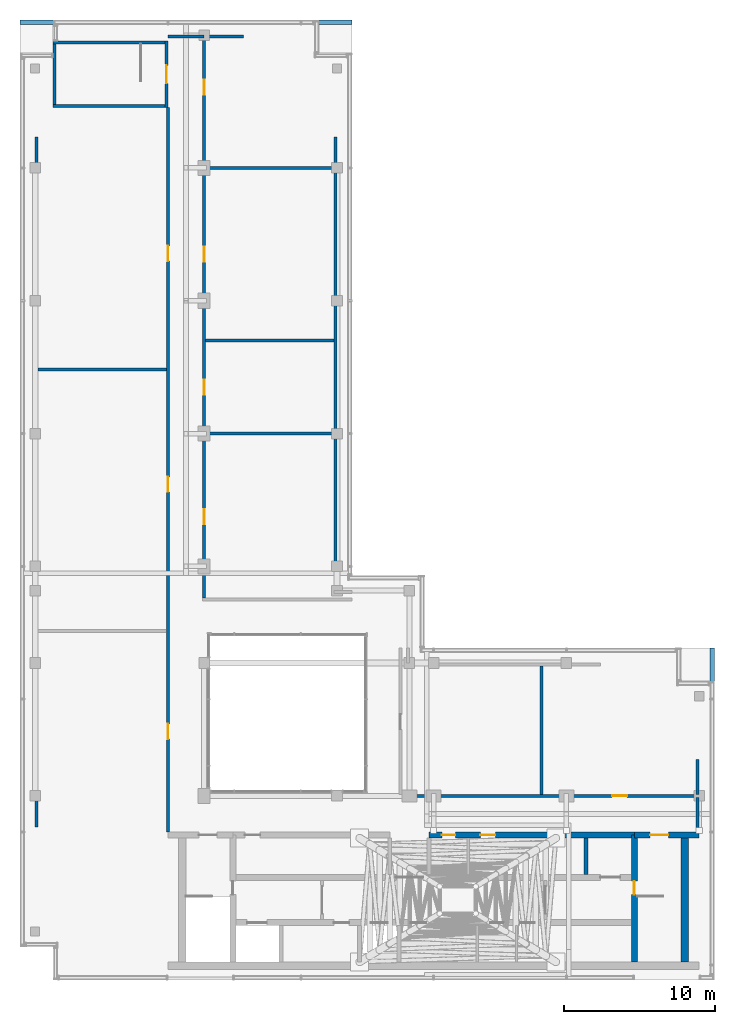
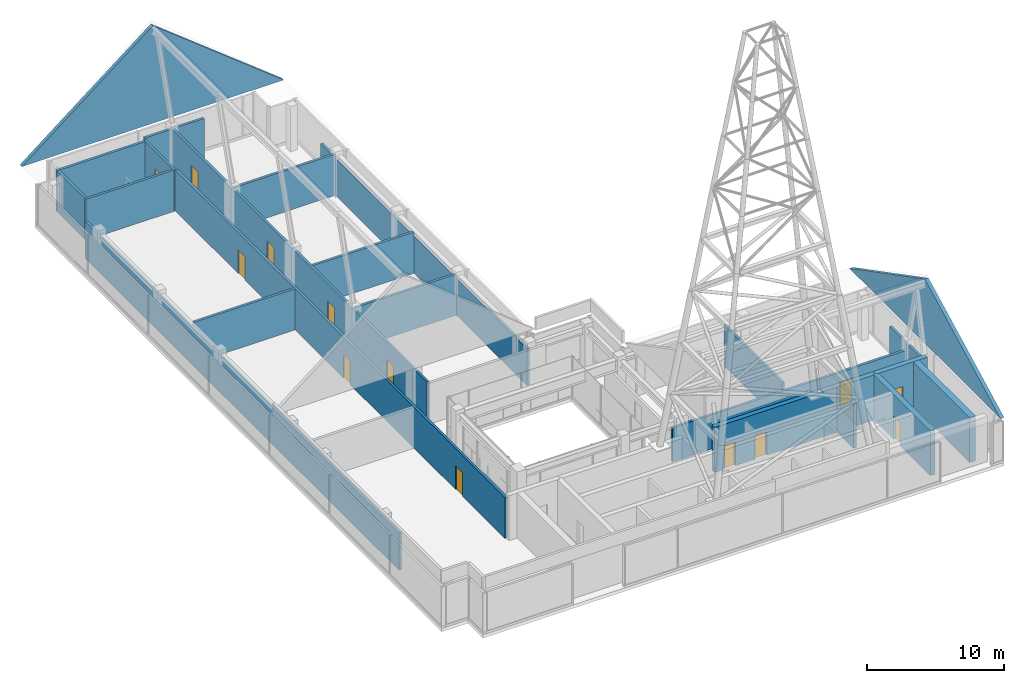
# One storey, part 12 of 13: 25 walls, 13 doors, 13 openings.
"""IFC4 building model written with IfcOpenShell, lengths in metres."""

from ifc_helpers import new_model, si_unit, direction, frame, frame_2d, origin, place, context, subcontext, project, spatial, polyline, rectangle, outline, extrude, material, layer, layer_set, type_object, element, fill, save


model = new_model("IFC4")

# Units and contexts
model_context = context("Model", 3, precision=1e-05, world=origin(), true_north=direction((0.0, 1.0)))
body_context = subcontext(model_context, "Body", "Model", "MODEL_VIEW")
ifc_project = project(units=[si_unit("LENGTHUNIT", "METRE"), si_unit("AREAUNIT", "SQUARE_METRE"), si_unit("VOLUMEUNIT", "CUBIC_METRE"), si_unit("PLANEANGLEUNIT", "RADIAN"), si_unit("MASSUNIT", "GRAM", prefix="KILO")], contexts=[model_context])

# Site, building, storey
site_placement = place(None, origin())
site = spatial("IfcSite", under=ifc_project, at=site_placement, CompositionType="ELEMENT")
building_placement = place(site_placement, origin())
building = spatial("IfcBuilding", under=site, at=building_placement, Name="Kemantara Hotel Tower", CompositionType="ELEMENT")
storey_placement = place(building_placement, frame((0.0, 0.0, 330.199951171875)))
storey = spatial("IfcBuildingStorey", under=building, at=storey_placement, Name="L83", CompositionType="ELEMENT", Elevation=330.199951171875)

# Wall
ifc_material_1 = material(Name="Concrete fc 50 MPa", Category="concrete")
ifc_layer_1 = layer(ifc_material_1, 0.25)
ifc_layer_set_1 = layer_set([ifc_layer_1], Name="Concrete fc 50 MPa")
wall_type_1 = type_object("IfcWallType", Name="CORE WALL 250 FC50", PredefinedType="SHEAR", material=ifc_layer_set_1)
wall_1_placement = place(storey_placement, frame((37.5, 7.0, 0.0), z_axis=(0.0, 0.0, 1.0), x_axis=(0.0, 1.0, 0.0)))
element("IfcWall", 1, at=wall_1_placement, inside=storey, type_object=wall_type_1, Name="CORE WALL CW-DN37.5", PredefinedType="SHEAR", context=body_context, shape_type="SweptSolid", body=[
    extrude(rectangle(XDim=2.39990234375, YDim=0.25, at=frame_2d((1.199951171875, 0.0))), origin(), (0.0, 0.0, 1.0), 4.0),
])

# Wall, opening, door
ifc_layer_2 = layer(ifc_material_1, 0.39990234375)
ifc_layer_set_2 = layer_set([ifc_layer_2], Name="Concrete fc 50 MPa")
wall_type_2 = type_object("IfcWallType", Name="CORE WALL 400 FC50", PredefinedType="SHEAR", material=ifc_layer_set_2)
wall_2_placement = place(storey_placement, frame((40.699951171875, 9.60009765625, 0.0), z_axis=(0.0, 0.0, 1.0), x_axis=(1.0, 0.0, 0.0)))
wall_2 = element("IfcWall", 2, at=wall_2_placement, inside=storey, type_object=wall_type_2, Name="CORE WALL CW-N2", PredefinedType="SHEAR", context=body_context, shape_type="SweptSolid", body=[
    extrude(rectangle(XDim=4.300048828125, YDim=0.39990234375, at=frame_2d((2.14990234375, 0.0))), origin(), (0.0, 0.0, 1.0), 4.0),
])
opening_1_placement = place(wall_2_placement, frame((1.050048828125, 0.0, 0.0)))
opening_1 = element("IfcOpeningElement", 3, at=opening_1_placement, cuts=wall_2, Name="Opening C47-ST2-C", PredefinedType="OPENING", context=body_context, shape_type="SweptSolid", body=[
    extrude(rectangle(XDim=1.199951171875, YDim=2.10009765625, at=frame_2d((0.60009765625, 1.050048828125))), frame((0.0, 0.2099609375, 0.0), z_axis=(0.0, -1.0, 0.0), x_axis=(1.0, 0.0, 0.0)), (0.0, 0.0, 1.0), 0.419921875),
])
ifc_material_2 = material(Name="Steel fire door", Category="steel")
door_type_1 = type_object("IfcDoorType", Name="Fire door FD90 1200 x 2100", OperationType="NOTDEFINED", PredefinedType="DOOR", material=ifc_material_2)
door_1_placement = place(opening_1_placement, frame((1.199951171875, 0.0, 0.0), z_axis=(0.0, 0.0, 1.0), x_axis=(-1.0, 0.0, 0.0)))
door_1 = element("IfcDoor", 4, at=door_1_placement, inside=storey, type_object=door_type_1, Name="Stair ST2 door to corridor", OperationType="SINGLE_SWING_RIGHT", OverallHeight=2.10009765625, OverallWidth=1.199951171875, PredefinedType="DOOR", context=body_context, shape_type="SweptSolid", body=[
    extrude(rectangle(XDim=1.199951171875, YDim=2.10009765625, at=frame_2d((0.60009765625, 1.050048828125))), frame((0.0, 0.02490234375, 0.0), z_axis=(0.0, -1.0, 0.0), x_axis=(1.0, 0.0, 0.0)), (0.0, 0.0, 1.0), 0.050048828125),
])
fill(opening_1, door_1)

# Wall, openings, doors
wall_3_placement = place(storey_placement, frame((27.10009765625, 9.60009765625, 0.0), z_axis=(0.0, 0.0, 1.0), x_axis=(1.0, 0.0, 0.0)))
wall_3 = element("IfcWall", 5, at=wall_3_placement, inside=storey, type_object=wall_type_2, Name="CORE WALL CW-NN2", PredefinedType="SHEAR", context=body_context, shape_type="SweptSolid", body=[
    extrude(rectangle(XDim=13.599853515625, YDim=0.39990234375, at=frame_2d((6.7998046875, 0.0))), origin(), (0.0, 0.0, 1.0), 4.0),
])
opening_2_placement = place(wall_3_placement, frame((0.85009765625, 0.0, 0.0)))
opening_2 = element("IfcOpeningElement", 6, at=opening_2_placement, cuts=wall_3, Name="Opening C47-R-NE1", PredefinedType="OPENING", context=body_context, shape_type="SweptSolid", body=[
    extrude(rectangle(XDim=0.89990234375, YDim=2.10009765625, at=frame_2d((0.449951171875, 1.050048828125))), frame((0.0, 0.2099609375, 0.0), z_axis=(0.0, -1.0, 0.0), x_axis=(1.0, 0.0, 0.0)), (0.0, 0.0, 1.0), 0.419921875),
])
opening_3_placement = place(wall_3_placement, frame((3.39990234375, 0.0, 0.0)))
opening_3 = element("IfcOpeningElement", 7, at=opening_3_placement, cuts=wall_3, Name="Opening C47-R-NE2", PredefinedType="OPENING", context=body_context, shape_type="SweptSolid", body=[
    extrude(rectangle(XDim=1.0, YDim=2.10009765625, at=frame_2d((0.5, 1.050048828125))), frame((0.0, 0.2099609375, 0.0), z_axis=(0.0, -1.0, 0.0), x_axis=(1.0, 0.0, 0.0)), (0.0, 0.0, 1.0), 0.419921875),
])
door_type_2 = type_object("IfcDoorType", Name="Fire door FD60 1000 x 2100", OperationType="NOTDEFINED", PredefinedType="DOOR", material=ifc_material_2)
door_2_placement = place(opening_3_placement, frame((1.0, 0.0, 0.0), z_axis=(0.0, 0.0, 1.0), x_axis=(-1.0, 0.0, 0.0)))
door_2 = element("IfcDoor", 8, at=door_2_placement, inside=storey, type_object=door_type_2, Name="Switch Room door", OperationType="SINGLE_SWING_RIGHT", OverallHeight=2.10009765625, OverallWidth=1.0, PredefinedType="DOOR", context=body_context, shape_type="SweptSolid", body=[
    extrude(rectangle(XDim=1.0, YDim=2.10009765625, at=frame_2d((0.5, 1.050048828125))), frame((0.0, 0.02490234375, 0.0), z_axis=(0.0, -1.0, 0.0), x_axis=(1.0, 0.0, 0.0)), (0.0, 0.0, 1.0), 0.050048828125),
])
fill(opening_3, door_2)
door_type_3 = type_object("IfcDoorType", Name="Fire door FD60 900 x 2100", OperationType="NOTDEFINED", PredefinedType="DOOR", material=ifc_material_2)
door_3_placement = place(opening_2_placement, frame((0.89990234375, 0.0, 0.0), z_axis=(0.0, 0.0, 1.0), x_axis=(-1.0, 0.0, 0.0)))
door_3 = element("IfcDoor", 9, at=door_3_placement, inside=storey, type_object=door_type_3, Name="Smoke Control Plant Room door", OperationType="SINGLE_SWING_RIGHT", OverallHeight=2.10009765625, OverallWidth=0.89990234375, PredefinedType="DOOR", context=body_context, shape_type="SweptSolid", body=[
    extrude(rectangle(XDim=0.89990234375, YDim=2.10009765625, at=frame_2d((0.449951171875, 1.050048828125))), frame((0.0, 0.02490234375, 0.0), z_axis=(0.0, -1.0, 0.0), x_axis=(1.0, 0.0, 0.0)), (0.0, 0.0, 1.0), 0.050048828125),
])
fill(opening_2, door_3)

# Wall, opening, door
wall_4_placement = place(storey_placement, frame((40.699951171875, 1.199951171875, 0.0), z_axis=(0.0, 0.0, 1.0), x_axis=(0.0, 1.0, 0.0)))
wall_4 = element("IfcWall", 10, at=wall_4_placement, inside=storey, type_object=wall_type_2, Name="CORE WALL CW-ST2W", PredefinedType="SHEAR", context=body_context, shape_type="SweptSolid", body=[
    extrude(rectangle(XDim=8.400146484375, YDim=0.39990234375, at=frame_2d((4.2001953125, 0.0))), origin(), (0.0, 0.0, 1.0), 4.0),
])
opening_4_placement = place(wall_4_placement, frame((4.449951171875, 0.0, 0.0)))
opening_4 = element("IfcOpeningElement", 11, at=opening_4_placement, cuts=wall_4, Name="Opening C47-ST2-F", PredefinedType="OPENING", context=body_context, shape_type="SweptSolid", body=[
    extrude(rectangle(XDim=0.89990234375, YDim=2.10009765625, at=frame_2d((0.449951171875, 1.050048828125))), frame((0.0, 0.2099609375, 0.0), z_axis=(0.0, -1.0, 0.0), x_axis=(1.0, 0.0, 0.0)), (0.0, 0.0, 1.0), 0.419921875),
])
door_type_4 = type_object("IfcDoorType", Name="Fire door FD90 900 x 2100", OperationType="NOTDEFINED", PredefinedType="DOOR", material=ifc_material_2)
door_4_placement = place(opening_4_placement, frame((0.89990234375, 0.0, 0.0), z_axis=(0.0, 0.0, 1.0), x_axis=(-1.0, 0.0, 0.0)))
door_4 = element("IfcDoor", 12, at=door_4_placement, inside=storey, type_object=door_type_4, Name="Stair ST2 door to firefighting lobby", OperationType="SINGLE_SWING_LEFT", OverallHeight=2.10009765625, OverallWidth=0.89990234375, PredefinedType="DOOR", context=body_context, shape_type="SweptSolid", body=[
    extrude(rectangle(XDim=0.89990234375, YDim=2.10009765625, at=frame_2d((0.449951171875, 1.050048828125))), frame((0.0, 0.02490234375, 0.0), z_axis=(0.0, -1.0, 0.0), x_axis=(1.0, 0.0, 0.0)), (0.0, 0.0, 1.0), 0.050048828125),
])
fill(opening_4, door_4)

# Walls
ifc_layer_3 = layer(ifc_material_1, 0.5)
ifc_layer_set_3 = layer_set([ifc_layer_3], Name="Concrete fc 50 MPa")
wall_type_3 = type_object("IfcWallType", Name="CORE WALL 500 FC50", PredefinedType="SHEAR", material=ifc_layer_set_3)
wall_5_placement = place(storey_placement, frame((44.050048828125, 1.199951171875, 0.0), z_axis=(0.0, 0.0, 1.0), x_axis=(0.0, 1.0, 0.0)))
element("IfcWall", 13, at=wall_5_placement, inside=storey, type_object=wall_type_3, Name="CORE WALL CW-E", PredefinedType="SHEAR", context=body_context, shape_type="SweptSolid", body=[
    extrude(rectangle(XDim=8.60009765625, YDim=0.5, at=frame_2d((4.300048828125, 0.0))), origin(), (0.0, 0.0, 1.0), 4.0),
])
ifc_material_3 = material(Name="Bronze anodised aluminium louvre blades on steel frame (S355)", Category="steel")
ifc_layer_4 = layer(ifc_material_3, 0.300048828125)
ifc_layer_set_4 = layer_set([ifc_layer_4], Name="Bronze anodised aluminium louvre blades on steel frame (S355)")
wall_type_4 = type_object("IfcWallType", Name="CROWN GABLE LOUVRE WALL 300", PredefinedType="STANDARD", material=ifc_layer_set_4)
wall_6_placement = place(storey_placement, frame((45.85009765625, 0.0, 4.0), z_axis=(0.0, 0.0, 1.0), x_axis=(0.0, 1.0, 0.0)))
element("IfcWall", 14, at=wall_6_placement, inside=storey, type_object=wall_type_4, Name="PEAK A GABLE LOUVRE WALL 2", PredefinedType="STANDARD", context=body_context, shape_type="SweptSolid", body=[
    extrude(outline(polyline([(0.0, 0.0), (22.0, 0.0), (22.0, 0.0), (11.0, 5.71533203125), (0.0, 0.0), (0.0, 0.0)])), frame((0.0, 0.14990234375, 0.0), z_axis=(0.0, -1.0, 0.0), x_axis=(1.0, 0.0, 0.0)), (0.0, 0.0, 1.0), 0.300048828125),
])
wall_7_placement = place(storey_placement, frame((0.0, 63.449951171875, 4.0), z_axis=(0.0, 0.0, 1.0), x_axis=(1.0, 0.0, 0.0)))
element("IfcWall", 15, at=wall_7_placement, inside=storey, type_object=wall_type_4, Name="PEAK B GABLE LOUVRE WALL 2", PredefinedType="STANDARD", context=body_context, shape_type="SweptSolid", body=[
    extrude(outline(polyline([(0.0, 0.0), (22.0, 0.0), (22.0, 0.0), (11.0, 8.677001953125), (0.0, 0.0), (0.0, 0.0)])), frame((0.0, 0.14990234375, 0.0), z_axis=(0.0, -1.0, 0.0), x_axis=(1.0, 0.0, 0.0)), (0.0, 0.0, 1.0), 0.300048828125),
])

# Wall, opening, door
ifc_material_4 = material(Name="Concrete fc 40 MPa", Category="concrete")
ifc_layer_5 = layer(ifc_material_4, 0.199951171875)
ifc_layer_set_5 = layer_set([ifc_layer_5], Name="Concrete fc 40 MPa")
wall_type_5 = type_object("IfcWallType", Name="Concrete stair wall 200 mm", PredefinedType="SHEAR", material=ifc_layer_set_5)
wall_8_placement = place(storey_placement, frame((9.699951171875, 57.800048828125, 0.0), z_axis=(0.0, 0.0, 1.0), x_axis=(0.0, 1.0, 0.0)))
wall_8 = element("IfcWall", 16, at=wall_8_placement, inside=storey, type_object=wall_type_5, Name="Stair ST4 enclosure wall with door", PredefinedType="SHEAR", context=body_context, shape_type="SweptSolid", body=[
    extrude(rectangle(XDim=4.39990234375, YDim=0.199951171875, at=frame_2d((2.199951171875, 0.0))), origin(), (0.0, 0.0, 1.0), 3.650146484375),
])
opening_5_placement = place(wall_8_placement, frame((1.60009765625, 0.0, 0.0)))
opening_5 = element("IfcOpeningElement", 17, at=opening_5_placement, cuts=wall_8, Name="Opening ST4-C", PredefinedType="OPENING", context=body_context, shape_type="SweptSolid", body=[
    extrude(rectangle(XDim=1.199951171875, YDim=2.10009765625, at=frame_2d((0.60009765625, 1.050048828125))), frame((0.0, 0.10986328125, 0.0), z_axis=(0.0, -1.0, 0.0), x_axis=(1.0, 0.0, 0.0)), (0.0, 0.0, 1.0), 0.219970703125),
])
door_5_placement = place(opening_5_placement, origin())
door_5 = element("IfcDoor", 18, at=door_5_placement, inside=storey, type_object=door_type_1, Name="Stair ST4 door", OperationType="SINGLE_SWING_RIGHT", OverallHeight=2.10009765625, OverallWidth=1.199951171875, PredefinedType="DOOR", context=body_context, shape_type="SweptSolid", body=[
    extrude(rectangle(XDim=1.199951171875, YDim=2.10009765625, at=frame_2d((0.60009765625, 1.050048828125))), frame((0.0, 0.02490234375, 0.0), z_axis=(0.0, -1.0, 0.0), x_axis=(1.0, 0.0, 0.0)), (0.0, 0.0, 1.0), 0.050048828125),
])
fill(opening_5, door_5)

# Walls
for number, where, z_axis, x_axis, name in (
    (19, (2.199951171875, 62.10009765625, 0.0), (0.0, 0.0, 1.0), (1.0, 0.0, 0.0), "Stair ST4 enclosure wall N"),
    (20, (2.199951171875, 57.89990234375, 0.0), (0.0, 0.0, 1.0), (1.0, 0.0, 0.0), "Stair ST4 enclosure wall S"),
):
    element("IfcWall", number, at=place(storey_placement, frame(where, z_axis=z_axis, x_axis=x_axis)), inside=storey, type_object=wall_type_5, Name=name, PredefinedType="SHEAR", context=body_context, shape_type="SweptSolid", body=[
        extrude(rectangle(XDim=7.400146484375, YDim=0.199951171875, at=frame_2d((3.7001953125, 0.0))), origin(), (0.0, 0.0, 1.0), 3.650146484375),
    ])
wall_9_placement = place(storey_placement, frame((2.300048828125, 58.0, 0.0), z_axis=(0.0, 0.0, 1.0), x_axis=(0.0, 1.0, 0.0)))
element("IfcWall", 21, at=wall_9_placement, inside=storey, type_object=wall_type_5, Name="Stair ST4 enclosure wall W", PredefinedType="SHEAR", context=body_context, shape_type="SweptSolid", body=[
    extrude(rectangle(XDim=4.0, YDim=0.199951171875, at=frame_2d((2.0, 0.0))), origin(), (0.0, 0.0, 1.0), 3.650146484375),
])
ifc_material_5 = material(Name="Clay brick masonry", Category="masonry")
ifc_layer_6 = layer(ifc_material_5, 0.199951171875)
ifc_layer_set_6 = layer_set([ifc_layer_6], Name="Clay brick masonry")
wall_type_6 = type_object("IfcWallType", Name="FIRE-RATED CLAY BRICK WALL 200 EI 120", PredefinedType="PARTITIONING", material=ifc_layer_set_6)
for number, where, z_axis, x_axis, name in (
    (22, (12.300048828125, 36.199951171875, 0.0), (0.0, 0.0, 1.0), (1.0, 0.0, 0.0), "FIRE WALL"),
    (23, (12.300048828125, 42.360107421875, 0.0), (0.0, 0.0, 1.0), (1.0, 0.0, 0.0), "FIRE WALL"),
    (24, (12.300048828125, 53.800048828125, 0.0), (0.0, 0.0, 1.0), (1.0, 0.0, 0.0), "FIRE WALL"),
    (25, (1.199951171875, 40.4599609375, 0.0), (0.0, 0.0, 1.0), (1.0, 0.0, 0.0), "FIRE WALL"),
):
    element("IfcWall", number, at=place(storey_placement, frame(where, z_axis=z_axis, x_axis=x_axis)), inside=storey, type_object=wall_type_6, Name=name, PredefinedType="PARTITIONING", context=body_context, shape_type="SweptSolid", body=[
        extrude(rectangle(XDim=8.5, YDim=0.199951171875, at=frame_2d((4.25, 0.0))), origin(), (0.0, 0.0, 1.0), 3.650146484375),
    ])
wall_10_placement = place(storey_placement, frame((12.199951171875, 62.5, 0.0), z_axis=(0.0, 0.0, 1.0), x_axis=(1.0, 0.0, 0.0)))
element("IfcWall", 26, at=wall_10_placement, inside=storey, type_object=wall_type_6, Name="FIRE WALL", PredefinedType="PARTITIONING", context=body_context, shape_type="SweptSolid", body=[
    extrude(rectangle(XDim=2.60009765625, YDim=0.199951171875, at=frame_2d((1.300048828125, 0.0))), origin(), (0.0, 0.0, 1.0), 3.650146484375),
])
wall_11_placement = place(storey_placement, frame((34.56005859375, 12.300048828125, 0.0), z_axis=(0.0, 0.0, 1.0), x_axis=(0.0, 1.0, 0.0)))
element("IfcWall", 27, at=wall_11_placement, inside=storey, type_object=wall_type_6, Name="FIRE WALL", PredefinedType="PARTITIONING", context=body_context, shape_type="SweptSolid", body=[
    extrude(rectangle(XDim=8.5, YDim=0.199951171875, at=frame_2d((4.25, 0.0))), origin(), (0.0, 0.0, 1.0), 3.650146484375),
])
wall_12_placement = place(storey_placement, frame((44.89990234375, 12.300048828125, 0.0), z_axis=(0.0, 0.0, 1.0), x_axis=(0.0, 1.0, 0.0)))
element("IfcWall", 28, at=wall_12_placement, inside=storey, type_object=wall_type_6, Name="FIRE WALL", PredefinedType="PARTITIONING", context=body_context, shape_type="SweptSolid", body=[
    extrude(rectangle(XDim=2.300048828125, YDim=0.199951171875, at=frame_2d((1.14990234375, 0.0))), origin(), (0.0, 0.0, 1.0), 3.650146484375),
])
wall_13_placement = place(storey_placement, frame((20.89990234375, 25.800048828125, 0.0), z_axis=(0.0, 0.0, 1.0), x_axis=(0.0, 1.0, 0.0)))
element("IfcWall", 29, at=wall_13_placement, inside=storey, type_object=wall_type_6, Name="FIRE WALL", PredefinedType="PARTITIONING", context=body_context, shape_type="SweptSolid", body=[
    extrude(rectangle(XDim=30.050048828125, YDim=0.199951171875, at=frame_2d((15.02490234375, 0.0))), origin(), (0.0, 0.0, 1.0), 3.2939453125),
])
wall_14_placement = place(storey_placement, frame((1.10009765625, 10.14990234375, 0.0), z_axis=(0.0, 0.0, 1.0), x_axis=(0.0, 1.0, 0.0)))
element("IfcWall", 30, at=wall_14_placement, inside=storey, type_object=wall_type_6, Name="FIRE WALL", PredefinedType="PARTITIONING", context=body_context, shape_type="SweptSolid", body=[
    extrude(rectangle(XDim=45.7001953125, YDim=0.199951171875, at=frame_2d((22.85009765625, 0.0))), origin(), (0.0, 0.0, 1.0), 3.2939453125),
])

# Wall, opening, door
ifc_material_6 = material(Name="Fire-rated gypsum board partition")
ifc_layer_7 = layer(ifc_material_6, 0.199951171875)
ifc_layer_set_7 = layer_set([ifc_layer_7], Name="Fire-rated gypsum board partition")
wall_type_7 = type_object("IfcWallType", Name="FIRE-RATED GYPSUM PARTITION 200 EI 60", PredefinedType="PARTITIONING", material=ifc_layer_set_7)
wall_15_placement = place(storey_placement, frame((25.10009765625, 12.199951171875, 0.0), z_axis=(0.0, 0.0, 1.0), x_axis=(1.0, 0.0, 0.0)))
wall_15 = element("IfcWall", 31, at=wall_15_placement, inside=storey, type_object=wall_type_7, Name="FIRE-RATED PARTITION", PredefinedType="PARTITIONING", context=body_context, shape_type="SweptSolid", body=[
    extrude(rectangle(XDim=19.89990234375, YDim=0.199951171875, at=frame_2d((9.949951171875, 0.0))), origin(), (0.0, 0.0, 1.0), 3.0380859375),
])
opening_6_placement = place(wall_15_placement, frame((14.1298828125, 0.0, 0.0)))
opening_6 = element("IfcOpeningElement", 32, at=opening_6_placement, cuts=wall_15, Name="Opening L83-B002", PredefinedType="OPENING", context=body_context, shape_type="SweptSolid", body=[
    extrude(rectangle(XDim=1.0, YDim=2.10009765625, at=frame_2d((0.5, 1.050048828125))), frame((0.0, 0.10986328125, 0.0), z_axis=(0.0, -1.0, 0.0), x_axis=(1.0, 0.0, 0.0)), (0.0, 0.0, 1.0), 0.219970703125),
])
ifc_material_7 = material(Name="Galvanised steel door leaf", Category="steel")
door_type_5 = type_object("IfcDoorType", Name="FIRE-RATED STEEL DOOR 1000 X 2100", OperationType="SINGLE_SWING_LEFT", PredefinedType="DOOR", material=ifc_material_7)
door_6_placement = place(opening_6_placement, frame((1.0, 0.0, 0.0), z_axis=(0.0, 0.0, 1.0), x_axis=(-1.0, 0.0, 0.0)))
door_6 = element("IfcDoor", 33, at=door_6_placement, inside=storey, type_object=door_type_5, Name="FIRE-RATED STEEL DOOR", OperationType="SINGLE_SWING_LEFT", OverallHeight=2.10009765625, OverallWidth=1.0, PredefinedType="DOOR", context=body_context, shape_type="SweptSolid", body=[
    extrude(rectangle(XDim=1.0, YDim=2.10009765625, at=frame_2d((0.5, 1.050048828125))), frame((0.0, 0.02490234375, 0.0), z_axis=(0.0, -1.0, 0.0), x_axis=(1.0, 0.0, 0.0)), (0.0, 0.0, 1.0), 0.050048828125),
])
fill(opening_6, door_6)

# Wall
wall_16_placement = place(storey_placement, frame((9.800048828125, 62.5, 0.0), z_axis=(0.0, 0.0, 1.0), x_axis=(1.0, 0.0, 0.0)))
element("IfcWall", 34, at=wall_16_placement, inside=storey, type_object=wall_type_7, Name="FIRE-RATED PARTITION", PredefinedType="PARTITIONING", context=body_context, shape_type="SweptSolid", body=[
    extrude(rectangle(XDim=2.39990234375, YDim=0.199951171875, at=frame_2d((1.199951171875, 0.0))), origin(), (0.0, 0.0, 1.0), 3.650146484375),
])

# Wall, openings, doors
wall_17_placement = place(storey_placement, frame((9.800048828125, 9.800048828125, 0.0), z_axis=(0.0, 0.0, 1.0), x_axis=(0.0, 1.0, 0.0)))
wall_17 = element("IfcWall", 35, at=wall_17_placement, inside=storey, type_object=wall_type_7, Name="FIRE-RATED PARTITION", PredefinedType="PARTITIONING", context=body_context, shape_type="SweptSolid", body=[
    extrude(rectangle(XDim=48.0, YDim=0.199951171875, at=frame_2d((24.0, 0.0))), origin(), (0.0, 0.0, 1.0), 3.650146484375),
])
opening_7_placement = place(wall_17_placement, frame((6.159912109375, 0.0, 0.0)))
opening_7 = element("IfcOpeningElement", 36, at=opening_7_placement, cuts=wall_17, Name="Opening L83-B007", PredefinedType="OPENING", context=body_context, shape_type="SweptSolid", body=[
    extrude(rectangle(XDim=1.0, YDim=2.10009765625, at=frame_2d((0.5, 1.050048828125))), frame((0.0, 0.10986328125, 0.0), z_axis=(0.0, -1.0, 0.0), x_axis=(1.0, 0.0, 0.0)), (0.0, 0.0, 1.0), 0.219970703125),
])
opening_8_placement = place(wall_17_placement, frame((22.530029296875, 0.0, 0.0)))
opening_8 = element("IfcOpeningElement", 37, at=opening_8_placement, cuts=wall_17, Name="Opening L83-B008", PredefinedType="OPENING", context=body_context, shape_type="SweptSolid", body=[
    extrude(rectangle(XDim=1.0, YDim=2.10009765625, at=frame_2d((0.5, 1.050048828125))), frame((0.0, 0.10986328125, 0.0), z_axis=(0.0, -1.0, 0.0), x_axis=(1.0, 0.0, 0.0)), (0.0, 0.0, 1.0), 0.219970703125),
])
opening_9_placement = place(wall_17_placement, frame((37.830078125, 0.0, 0.0)))
opening_9 = element("IfcOpeningElement", 38, at=opening_9_placement, cuts=wall_17, Name="Opening L83-B009", PredefinedType="OPENING", context=body_context, shape_type="SweptSolid", body=[
    extrude(rectangle(XDim=1.0, YDim=2.10009765625, at=frame_2d((0.5, 1.050048828125))), frame((0.0, 0.10986328125, 0.0), z_axis=(0.0, -1.0, 0.0), x_axis=(1.0, 0.0, 0.0)), (0.0, 0.0, 1.0), 0.219970703125),
])
door_7_placement = place(opening_7_placement, frame((1.0, 0.0, 0.0), z_axis=(0.0, 0.0, 1.0), x_axis=(-1.0, 0.0, 0.0)))
door_7 = element("IfcDoor", 39, at=door_7_placement, inside=storey, type_object=door_type_5, Name="FIRE-RATED STEEL DOOR", OperationType="SINGLE_SWING_RIGHT", OverallHeight=2.10009765625, OverallWidth=1.0, PredefinedType="DOOR", context=body_context, shape_type="SweptSolid", body=[
    extrude(rectangle(XDim=1.0, YDim=2.10009765625, at=frame_2d((0.5, 1.050048828125))), frame((0.0, 0.02490234375, 0.0), z_axis=(0.0, -1.0, 0.0), x_axis=(1.0, 0.0, 0.0)), (0.0, 0.0, 1.0), 0.050048828125),
])
fill(opening_7, door_7)
door_8_placement = place(opening_8_placement, frame((1.0, 0.0, 0.0), z_axis=(0.0, 0.0, 1.0), x_axis=(-1.0, 0.0, 0.0)))
door_8 = element("IfcDoor", 40, at=door_8_placement, inside=storey, type_object=door_type_5, Name="FIRE-RATED STEEL DOOR", OperationType="SINGLE_SWING_RIGHT", OverallHeight=2.10009765625, OverallWidth=1.0, PredefinedType="DOOR", context=body_context, shape_type="SweptSolid", body=[
    extrude(rectangle(XDim=1.0, YDim=2.10009765625, at=frame_2d((0.5, 1.050048828125))), frame((0.0, 0.02490234375, 0.0), z_axis=(0.0, -1.0, 0.0), x_axis=(1.0, 0.0, 0.0)), (0.0, 0.0, 1.0), 0.050048828125),
])
fill(opening_8, door_8)
door_9_placement = place(opening_9_placement, frame((1.0, 0.0, 0.0), z_axis=(0.0, 0.0, 1.0), x_axis=(-1.0, 0.0, 0.0)))
door_9 = element("IfcDoor", 41, at=door_9_placement, inside=storey, type_object=door_type_5, Name="FIRE-RATED STEEL DOOR", OperationType="SINGLE_SWING_LEFT", OverallHeight=2.10009765625, OverallWidth=1.0, PredefinedType="DOOR", context=body_context, shape_type="SweptSolid", body=[
    extrude(rectangle(XDim=1.0, YDim=2.10009765625, at=frame_2d((0.5, 1.050048828125))), frame((0.0, 0.02490234375, 0.0), z_axis=(0.0, -1.0, 0.0), x_axis=(1.0, 0.0, 0.0)), (0.0, 0.0, 1.0), 0.050048828125),
])
fill(opening_9, door_9)

wall_18_placement = place(storey_placement, frame((12.199951171875, 25.300048828125, 0.0), z_axis=(0.0, 0.0, 1.0), x_axis=(0.0, 1.0, 0.0)))
wall_18 = element("IfcWall", 42, at=wall_18_placement, inside=storey, type_object=wall_type_7, Name="FIRE-RATED PARTITION", PredefinedType="PARTITIONING", context=body_context, shape_type="SweptSolid", body=[
    extrude(rectangle(XDim=37.099853515625, YDim=0.199951171875, at=frame_2d((18.5498046875, 0.0))), origin(), (0.0, 0.0, 1.0), 3.650146484375),
])
opening_10_placement = place(wall_18_placement, frame((4.89990234375, 0.0, 0.0)))
opening_10 = element("IfcOpeningElement", 43, at=opening_10_placement, cuts=wall_18, Name="Opening L83-B003", PredefinedType="OPENING", context=body_context, shape_type="SweptSolid", body=[
    extrude(rectangle(XDim=1.0, YDim=2.10009765625, at=frame_2d((0.5, 1.050048828125))), frame((0.0, 0.10986328125, 0.0), z_axis=(0.0, -1.0, 0.0), x_axis=(1.0, 0.0, 0.0)), (0.0, 0.0, 1.0), 0.219970703125),
])
opening_11_placement = place(wall_18_placement, frame((13.47998046875, 0.0, 0.0)))
opening_11 = element("IfcOpeningElement", 44, at=opening_11_placement, cuts=wall_18, Name="Opening L83-B004", PredefinedType="OPENING", context=body_context, shape_type="SweptSolid", body=[
    extrude(rectangle(XDim=1.0, YDim=2.10009765625, at=frame_2d((0.5, 1.050048828125))), frame((0.0, 0.10986328125, 0.0), z_axis=(0.0, -1.0, 0.0), x_axis=(1.0, 0.0, 0.0)), (0.0, 0.0, 1.0), 0.219970703125),
])
opening_12_placement = place(wall_18_placement, frame((22.280029296875, 0.0, 0.0)))
opening_12 = element("IfcOpeningElement", 45, at=opening_12_placement, cuts=wall_18, Name="Opening L83-B005", PredefinedType="OPENING", context=body_context, shape_type="SweptSolid", body=[
    extrude(rectangle(XDim=1.0, YDim=2.10009765625, at=frame_2d((0.5, 1.050048828125))), frame((0.0, 0.10986328125, 0.0), z_axis=(0.0, -1.0, 0.0), x_axis=(1.0, 0.0, 0.0)), (0.0, 0.0, 1.0), 0.219970703125),
])
opening_13_placement = place(wall_18_placement, frame((33.35009765625, 0.0, 0.0)))
opening_13 = element("IfcOpeningElement", 46, at=opening_13_placement, cuts=wall_18, Name="Opening L83-B006", PredefinedType="OPENING", context=body_context, shape_type="SweptSolid", body=[
    extrude(rectangle(XDim=1.0, YDim=2.10009765625, at=frame_2d((0.5, 1.050048828125))), frame((0.0, 0.10986328125, 0.0), z_axis=(0.0, -1.0, 0.0), x_axis=(1.0, 0.0, 0.0)), (0.0, 0.0, 1.0), 0.219970703125),
])
door_10_placement = place(opening_10_placement, origin())
door_10 = element("IfcDoor", 47, at=door_10_placement, inside=storey, type_object=door_type_5, Name="FIRE-RATED STEEL DOOR", OperationType="SINGLE_SWING_LEFT", OverallHeight=2.10009765625, OverallWidth=1.0, PredefinedType="DOOR", context=body_context, shape_type="SweptSolid", body=[
    extrude(rectangle(XDim=1.0, YDim=2.10009765625, at=frame_2d((0.5, 1.050048828125))), frame((0.0, 0.02490234375, 0.0), z_axis=(0.0, -1.0, 0.0), x_axis=(1.0, 0.0, 0.0)), (0.0, 0.0, 1.0), 0.050048828125),
])
fill(opening_10, door_10)
door_11_placement = place(opening_11_placement, origin())
door_11 = element("IfcDoor", 48, at=door_11_placement, inside=storey, type_object=door_type_5, Name="FIRE-RATED STEEL DOOR", OperationType="SINGLE_SWING_LEFT", OverallHeight=2.10009765625, OverallWidth=1.0, PredefinedType="DOOR", context=body_context, shape_type="SweptSolid", body=[
    extrude(rectangle(XDim=1.0, YDim=2.10009765625, at=frame_2d((0.5, 1.050048828125))), frame((0.0, 0.02490234375, 0.0), z_axis=(0.0, -1.0, 0.0), x_axis=(1.0, 0.0, 0.0)), (0.0, 0.0, 1.0), 0.050048828125),
])
fill(opening_11, door_11)
door_12_placement = place(opening_12_placement, origin())
door_12 = element("IfcDoor", 49, at=door_12_placement, inside=storey, type_object=door_type_5, Name="FIRE-RATED STEEL DOOR", OperationType="SINGLE_SWING_RIGHT", OverallHeight=2.10009765625, OverallWidth=1.0, PredefinedType="DOOR", context=body_context, shape_type="SweptSolid", body=[
    extrude(rectangle(XDim=1.0, YDim=2.10009765625, at=frame_2d((0.5, 1.050048828125))), frame((0.0, 0.02490234375, 0.0), z_axis=(0.0, -1.0, 0.0), x_axis=(1.0, 0.0, 0.0)), (0.0, 0.0, 1.0), 0.050048828125),
])
fill(opening_12, door_12)
door_13_placement = place(opening_13_placement, origin())
door_13 = element("IfcDoor", 50, at=door_13_placement, inside=storey, type_object=door_type_5, Name="FIRE-RATED STEEL DOOR", OperationType="SINGLE_SWING_RIGHT", OverallHeight=2.10009765625, OverallWidth=1.0, PredefinedType="DOOR", context=body_context, shape_type="SweptSolid", body=[
    extrude(rectangle(XDim=1.0, YDim=2.10009765625, at=frame_2d((0.5, 1.050048828125))), frame((0.0, 0.02490234375, 0.0), z_axis=(0.0, -1.0, 0.0), x_axis=(1.0, 0.0, 0.0)), (0.0, 0.0, 1.0), 0.050048828125),
])
fill(opening_13, door_13)

# Wall
wall_19_placement = place(storey_placement, frame((44.89990234375, 9.800048828125, 0.0), z_axis=(0.0, 0.0, 1.0), x_axis=(0.0, 1.0, 0.0)))
element("IfcWall", 51, at=wall_19_placement, inside=storey, type_object=wall_type_7, Name="FIRE-RATED PARTITION", PredefinedType="PARTITIONING", context=body_context, shape_type="SweptSolid", body=[
    extrude(rectangle(XDim=2.300048828125, YDim=0.199951171875, at=frame_2d((1.14990234375, 0.0))), origin(), (0.0, 0.0, 1.0), 3.650146484375),
])

save(model, "model.ifc")
